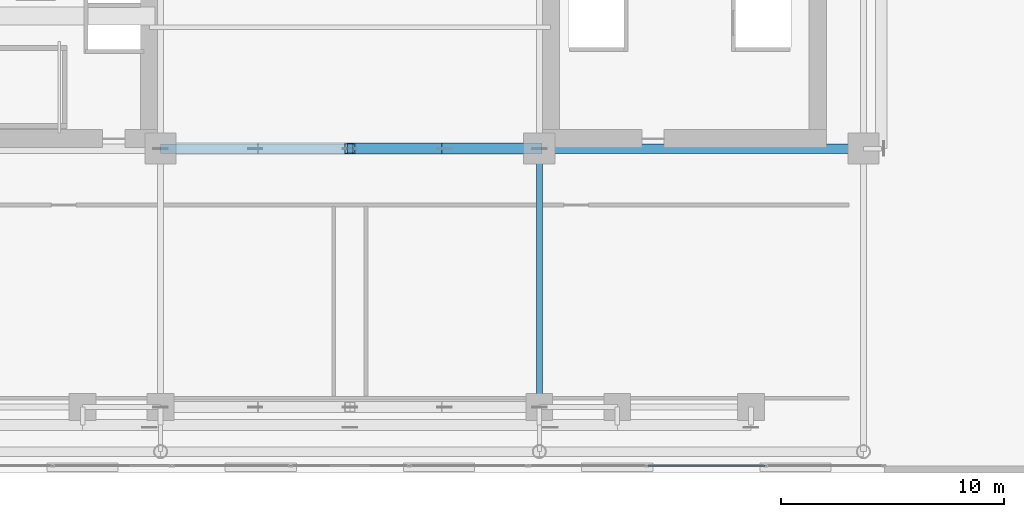
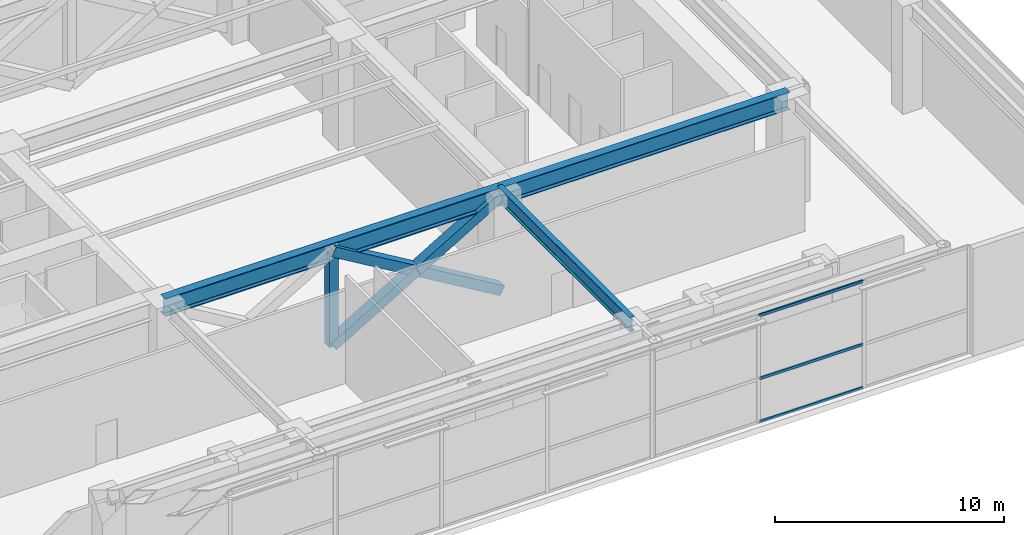
# One storey, part 9 of 29: 7 members, 3 beams, 1 element without a shape of its own.
"""IFC4 building model written with IfcOpenShell, lengths in metres."""

from ifc_helpers import new_model, si_unit, direction, frame, origin, origin_2d, place, context, subcontext, project, spatial, hollow_rectangle, i_section, extrude, source, transform, mapped, material, layer, layer_set, material_profile, profile_set, type_object, element, aggregate, save


model = new_model("IFC4")

# Units and contexts
model_context = context("Model", 3, precision=1e-05, world=origin(), true_north=direction((0.0, 1.0)))
body_context = subcontext(model_context, "Body", "Model", "MODEL_VIEW")
ifc_project = project(units=[si_unit("LENGTHUNIT", "METRE"), si_unit("AREAUNIT", "SQUARE_METRE"), si_unit("VOLUMEUNIT", "CUBIC_METRE"), si_unit("PLANEANGLEUNIT", "RADIAN"), si_unit("MASSUNIT", "GRAM", prefix="KILO")], contexts=[model_context])

# Site, building, storey
site_placement = place(None, origin())
site = spatial("IfcSite", under=ifc_project, at=site_placement, CompositionType="ELEMENT")
building_placement = place(site_placement, origin())
building = spatial("IfcBuilding", under=site, at=building_placement, Name="Ocotamira Hotel", CompositionType="ELEMENT")
storey_placement = place(building_placement, frame((0.0, 0.0, 28.800048828125)))
storey = spatial("IfcBuildingStorey", under=building, at=storey_placement, Name="L06", CompositionType="ELEMENT", Elevation=28.800048828125)

# Beams
ifc_material_1 = material(Name="Steel ASTM A992 Grade 50", Category="steel")
ifc_material_profile_1 = material_profile(ifc_material_1, i_section(OverallWidth=0.41796875, OverallDepth=0.927001953125, WebThickness=0.019287109375, FlangeThickness=0.031982421875, FilletRadius=0.02392578125, at=origin_2d()), Name="W36X231")
ifc_profile_set_1 = profile_set([ifc_material_profile_1], Name="Steel ASTM A992 Grade 50")
beam_type_1 = type_object("IfcBeamType", Name="BM-GIRD-W36X231", PredefinedType="BEAM", material=ifc_profile_set_1)
shared_shape_1 = source(origin(), body_context, "Body", "SweptSolid", [
    extrude(i_section(OverallWidth=0.41796875, OverallDepth=0.927001953125, WebThickness=0.019287109375, FlangeThickness=0.031982421875, FilletRadius=0.02392578125, at=origin_2d()), origin(), (0.0, 0.0, 1.0), 14.550048828125),
])
beam_1_placement = place(storey_placement, frame((40.5, 14.550048828125, 5.286376953125), z_axis=(1.0, 0.0, 0.0), x_axis=(0.0, 1.0, 0.0)))
element("IfcBeam", 1, at=beam_1_placement, inside=storey, type_object=beam_type_1, Name="L06 Girder Y14.55 X40.5-55.05", PredefinedType="BEAM", context=body_context, shape_type="MappedRepresentation", body=[
    mapped(shared_shape_1, transform((0.0, 0.0, 0.0), scale=1.0)),
])
ifc_material_profile_2 = material_profile(ifc_material_1, i_section(OverallWidth=0.26611328125, OverallDepth=0.779052734375, WebThickness=0.0166015625, FlangeThickness=0.030029296875, FilletRadius=0.01806640625, at=origin_2d()), Name="W30X148")
ifc_profile_set_2 = profile_set([ifc_material_profile_2], Name="Steel ASTM A992 Grade 50")
beam_type_2 = type_object("IfcBeamType", Name="BM-GIRD-W30X148", PredefinedType="BEAM", material=ifc_profile_set_2)
shared_shape_2 = source(origin(), body_context, "Body", "SweptSolid", [
    extrude(i_section(OverallWidth=0.26611328125, OverallDepth=0.779052734375, WebThickness=0.0166015625, FlangeThickness=0.030029296875, FilletRadius=0.01806640625, at=origin_2d()), origin(), (0.0, 0.0, 1.0), 11.60009765625),
])
beam_2_placement = place(storey_placement, frame((40.5, 2.949951171875, 5.3603515625), z_axis=(0.0, 1.0, 0.0), x_axis=(-1.0, 0.0, 0.0)))
element("IfcBeam", 2, at=beam_2_placement, inside=storey, type_object=beam_type_2, Name="L06 Beam X40.5 Y2.95-14.55", PredefinedType="BEAM", context=body_context, shape_type="MappedRepresentation", body=[
    mapped(shared_shape_2, transform((0.0, 0.0, 0.0), scale=1.0)),
])
ifc_material_2 = material(Name="Steel ASTM A913 Grade 65", Category="steel")
ifc_material_profile_3 = material_profile(ifc_material_2, i_section(OverallWidth=0.423095703125, OverallDepth=0.947998046875, WebThickness=0.02392578125, FlangeThickness=0.042724609375, FilletRadius=0.02392578125, at=origin_2d()), Name="W36X302")
ifc_profile_set_3 = profile_set([ifc_material_profile_3], Name="Steel ASTM A913 Grade 65")
beam_type_3 = type_object("IfcBeamType", Name="BM-TRUSS-W36X302", PredefinedType="BEAM", material=ifc_profile_set_3)
shared_shape_3 = source(origin(), body_context, "Body", "SweptSolid", [
    extrude(i_section(OverallWidth=0.423095703125, OverallDepth=0.947998046875, WebThickness=0.02392578125, FlangeThickness=0.042724609375, FilletRadius=0.02392578125, at=origin_2d()), origin(), (0.0, 0.0, 1.0), 17.0),
])
beam_3_placement = place(storey_placement, frame((23.5, 14.550048828125, 5.27587890625), z_axis=(1.0, 0.0, 0.0), x_axis=(0.0, 1.0, 0.0)))
element("IfcBeam", 3, at=beam_3_placement, inside=storey, type_object=beam_type_3, Name="L06 Girder Y14.55 X23.5-40.5", PredefinedType="BEAM", context=body_context, shape_type="MappedRepresentation", body=[
    mapped(shared_shape_3, transform((0.0, 0.0, 0.0), scale=1.0)),
])

# Members
ifc_material_profile_4 = material_profile(ifc_material_2, hollow_rectangle(XDim=0.449951171875, YDim=0.449951171875, WallThickness=0.01611328125, at=origin_2d()), Name="HSS450X450X16")
ifc_profile_set_4 = profile_set([ifc_material_profile_4], Name="Steel ASTM A913 Grade 65")
member_type_1 = type_object("IfcMemberType", Name="MEM-POST-HSS450", PredefinedType="POST", material=ifc_profile_set_4)
shared_shape_4 = source(origin(), body_context, "Body", "SweptSolid", [
    extrude(hollow_rectangle(XDim=0.449951171875, YDim=0.449951171875, WallThickness=0.01611328125, at=origin_2d()), origin(), (0.0, 0.0, 1.0), 5.050048828125),
])
member_1_placement = place(storey_placement, frame((32.0, 14.550048828125, 0.25), z_axis=(0.0, 0.0, 1.0), x_axis=(1.0, 0.0, 0.0)))
element("IfcMember", 4, at=member_1_placement, inside=storey, type_object=member_type_1, Name="L06 Portal Transfer Truss Post Y14.55", PredefinedType="POST", context=body_context, shape_type="MappedRepresentation", body=[
    mapped(shared_shape_4, transform((0.0, 0.0, 0.0), scale=1.0)),
])
ifc_material_profile_5 = material_profile(ifc_material_2, hollow_rectangle(XDim=0.5, YDim=0.5, WallThickness=0.02001953125, at=origin_2d()), Name="HSS500X500X20")
ifc_profile_set_5 = profile_set([ifc_material_profile_5], Name="Steel ASTM A913 Grade 65")
member_type_2 = type_object("IfcMemberType", Name="MEM-OUT-HSS500", PredefinedType="BRACE", material=ifc_profile_set_5)
shared_shape_5 = source(origin(), body_context, "Body", "SweptSolid", [
    extrude(hollow_rectangle(XDim=0.5, YDim=0.5, WallThickness=0.02001953125, at=origin_2d()), origin(), (0.0, 0.0, 1.0), 9.886962890625),
])
member_2_placement = place(storey_placement, frame((32.0, 14.550048828125, 5.300048828125), z_axis=(0.859713791233, 0.0, -0.510776073405), x_axis=(0.0, 1.0, 0.0)))
element("IfcMember", 5, at=member_2_placement, inside=storey, type_object=member_type_2, Name="L06 Portal Transfer Truss Diagonal Y14.55-2", PredefinedType="BRACE", context=body_context, shape_type="MappedRepresentation", body=[
    mapped(shared_shape_5, transform((0.0, 0.0, 0.0), scale=1.0)),
])
shared_shape_6 = source(origin(), body_context, "Body", "SweptSolid", [
    extrude(hollow_rectangle(XDim=0.5, YDim=0.5, WallThickness=0.02001953125, at=origin_2d()), origin(), (0.0, 0.0, 1.0), 4.923583984375),
])
for number, where, z_axis, x_axis, name in (
    (6, (32.0, 14.550048828125, 0.25), (0.859733635103, 0.0, 0.510742671678), (0.0, 1.0, 0.0), "L06 Portal Transfer Truss Diagonal Y14.55-4 Lower Half"),
    (7, (36.26708984375, 14.550048828125, 2.78515625), (0.859711861236, 0.0, 0.51077932187), (0.0, 1.0, 0.0), "L06 Portal Transfer Truss Diagonal Y14.55-4 Upper Half"),
):
    element("IfcMember", number, at=place(storey_placement, frame(where, z_axis=z_axis, x_axis=x_axis)), inside=storey, type_object=member_type_2, Name=name, PredefinedType="BRACE", context=body_context, shape_type="MappedRepresentation", body=[
        mapped(shared_shape_6, transform((0.0, 0.0, 0.0), scale=1.0)),
    ])

# Curtain wall, members
ifc_material_3 = material(Name="Anodised pale-metal aluminium and solar glass", Category="aluminium")
ifc_layer = layer(ifc_material_3, 0.239990234375)
ifc_layer_set = layer_set([ifc_layer], Name="Anodised pale-metal aluminium and solar glass")
curtain_wall_type = type_object("IfcCurtainWallType", Name="CW-SYS5-SKY", PredefinedType="NOTDEFINED", material=ifc_layer_set)
curtain_wall_placement = place(storey_placement, origin())
curtain_wall = element("IfcCurtainWall", 8, at=curtain_wall_placement, inside=storey, type_object=curtain_wall_type, Name="L06 Curtain Wall CW-5 CW-L06-S3", PredefinedType="NOTDEFINED")
ifc_material_4 = material(Name="Anodised pale-metal aluminium 6063-T6", Category="aluminium")
ifc_material_profile_6 = material_profile(ifc_material_4, hollow_rectangle(XDim=0.074951171875, YDim=0.14990234375, WallThickness=0.006103515625, at=origin_2d()), Name="HSS150X75X6")
ifc_profile_set_6 = profile_set([ifc_material_profile_6], Name="Anodised pale-metal aluminium 6063-T6")
member_type_3 = type_object("IfcMemberType", Name="CWT-150X75", PredefinedType="USERDEFINED", material=ifc_profile_set_6)
shared_shape_7 = source(origin(), body_context, "Body", "SweptSolid", [
    extrude(hollow_rectangle(XDim=0.074951171875, YDim=0.14990234375, WallThickness=0.006103515625, at=origin_2d()), origin(), (0.0, 0.0, 1.0), 5.25341796875),
])
member_3_placement = place(storey_placement, frame((45.373291015625, 0.320068359375, 0.037353515625), z_axis=(1.0, 0.0, 0.0), x_axis=(0.0, 1.0, 0.0)))
member_3 = element("IfcMember", 9, at=member_3_placement, type_object=member_type_3, Name="CW-5 transom 2.1", ObjectType="TRANSOM", PredefinedType="USERDEFINED", context=body_context, shape_type="MappedRepresentation", body=[
    mapped(shared_shape_7, transform((0.0, 0.0, 0.0), scale=1.0)),
])
member_4_placement = place(storey_placement, frame((45.373291015625, 0.320068359375, 2.349853515625), z_axis=(1.0, 0.0, 0.0), x_axis=(0.0, 1.0, 0.0)))
member_4 = element("IfcMember", 10, at=member_4_placement, type_object=member_type_3, Name="CW-5 transom 2.2", ObjectType="TRANSOM", PredefinedType="USERDEFINED", context=body_context, shape_type="MappedRepresentation", body=[
    mapped(shared_shape_7, transform((0.0, 0.0, 0.0), scale=1.0)),
])
member_5_placement = place(storey_placement, frame((45.373291015625, 0.320068359375, 5.71240234375), z_axis=(1.0, 0.0, 0.0), x_axis=(0.0, 1.0, 0.0)))
member_5 = element("IfcMember", 11, at=member_5_placement, type_object=member_type_3, Name="CW-5 transom 2.3", ObjectType="TRANSOM", PredefinedType="USERDEFINED", context=body_context, shape_type="MappedRepresentation", body=[
    mapped(shared_shape_7, transform((0.0, 0.0, 0.0), scale=1.0)),
])
aggregate(curtain_wall, [member_3, member_4, member_5])

save(model, "model.ifc")
